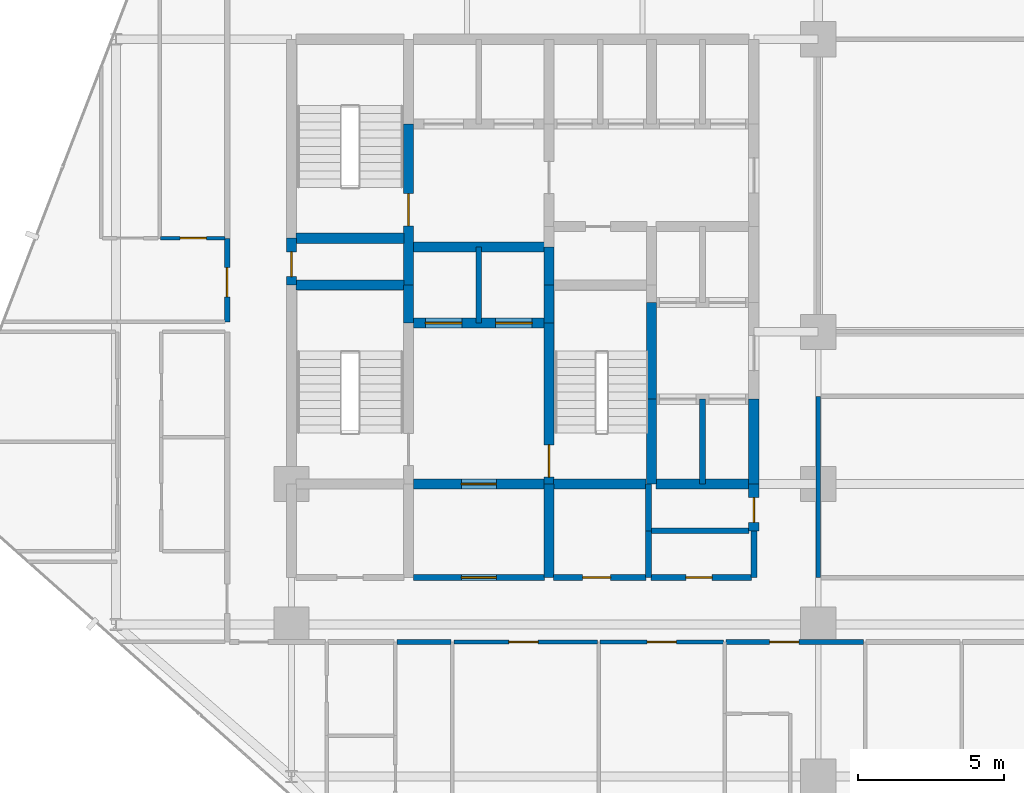
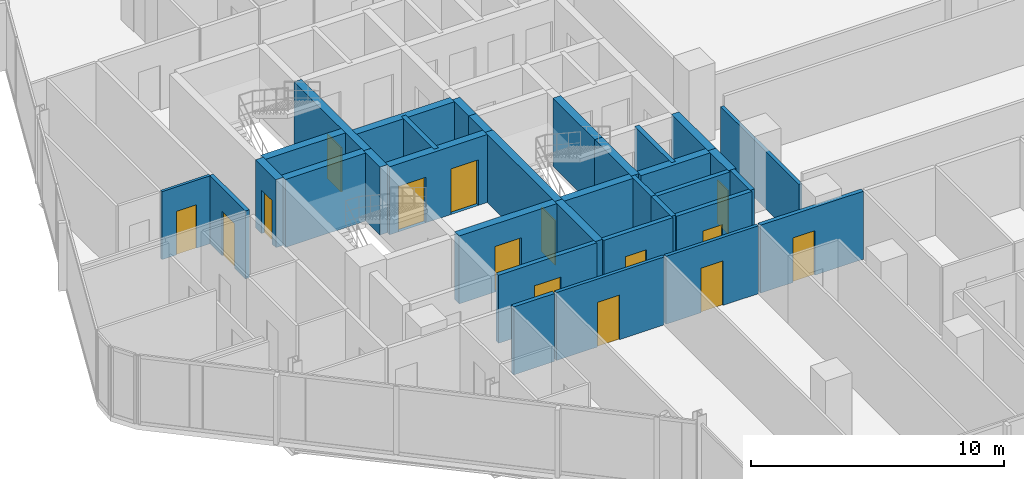
# One storey, part 27 of 34: 34 walls, 15 doors, 15 openings.
"""IFC4 building model written with IfcOpenShell, lengths in metres."""

from ifc_helpers import new_model, si_unit, direction, frame, frame_2d, origin, place, context, subcontext, project, spatial, rectangle, extrude, material, layer, layer_set, type_object, element, fill, save


model = new_model("IFC4")

# Units and contexts
model_context = context("Model", 3, precision=1e-05, world=origin(), true_north=direction((0.0, 1.0)))
body_context = subcontext(model_context, "Body", "Model", "MODEL_VIEW")
ifc_project = project(units=[si_unit("LENGTHUNIT", "METRE"), si_unit("AREAUNIT", "SQUARE_METRE"), si_unit("VOLUMEUNIT", "CUBIC_METRE"), si_unit("PLANEANGLEUNIT", "RADIAN"), si_unit("MASSUNIT", "GRAM", prefix="KILO")], contexts=[model_context])

# Site, building, storey
site_placement = place(None, origin())
site = spatial("IfcSite", under=ifc_project, at=site_placement, CompositionType="ELEMENT")
building_placement = place(site_placement, origin())
building = spatial("IfcBuilding", under=site, at=building_placement, Name="Keshet Zoharim Tower", CompositionType="ELEMENT")
storey_placement = place(building_placement, frame((0.0, 0.0, 77.5)))
storey = spatial("IfcBuildingStorey", under=building, at=storey_placement, Name="L18", CompositionType="ELEMENT", Elevation=77.5)

# Wall
ifc_material_1 = material(Name="Gypsum Plasterboard", Category="gypsum")
ifc_layer_1 = layer(ifc_material_1, 0.14990234375)
ifc_layer_set_1 = layer_set([ifc_layer_1], Name="Gypsum Plasterboard")
wall_type_1 = type_object("IfcWallType", Name="WL-CLIN-150", PredefinedType="STANDARD", material=ifc_layer_set_1)
wall_1_placement = place(storey_placement, frame((33.0, 19.510009765625, 0.0), z_axis=(0.0, 0.0, 1.0), x_axis=(0.0, 1.0, 0.0)))
element("IfcWall", 1, at=wall_1_placement, inside=storey, type_object=wall_type_1, Name="L18 Interior Wall 069", PredefinedType="STANDARD", context=body_context, shape_type="SweptSolid", body=[
    extrude(rectangle(XDim=6.179931640625, YDim=0.14990234375, at=frame_2d((3.08984375, 0.0))), origin(), (0.0, 0.0, 1.0), 2.780029296875),
])

# Wall, opening, door
wall_2_placement = place(storey_placement, frame((20.544921875, 17.300048828125, 0.0), z_axis=(0.0, 0.0, 1.0), x_axis=(1.0, 0.0, 0.0)))
wall_2 = element("IfcWall", 2, at=wall_2_placement, inside=storey, type_object=wall_type_1, Name="L18 Interior Wall 150", PredefinedType="STANDARD", context=body_context, shape_type="SweptSolid", body=[
    extrude(rectangle(XDim=4.91015625, YDim=0.14990234375, at=frame_2d((2.455078125, 0.0))), origin(), (0.0, 0.0, 1.0), 3.280029296875),
])
opening_1_placement = place(wall_2_placement, frame((1.884033203125, 0.0, 0.0)))
opening_1 = element("IfcOpeningElement", 3, at=opening_1_placement, cuts=wall_2, Name="Opening D-F310", PredefinedType="OPENING", context=body_context, shape_type="SweptSolid", body=[
    extrude(rectangle(XDim=1.0, YDim=2.14990234375, at=frame_2d((0.5, 1.074951171875))), frame((0.0, 0.0849609375, 0.0), z_axis=(0.0, -1.0, 0.0), x_axis=(1.0, 0.0, 0.0)), (0.0, 0.0, 1.0), 0.169921875),
])
ifc_material_2 = material(Name="Hardwood Timber", Category="wood")
door_type_1 = type_object("IfcDoorType", Name="DR-FD30-100", OperationType="NOTDEFINED", PredefinedType="DOOR", material=ifc_material_2)
door_1_placement = place(opening_1_placement, origin())
door_1 = element("IfcDoor", 4, at=door_1_placement, inside=storey, type_object=door_type_1, Name="L18 Residents Fitness Studio Door", OperationType="SINGLE_SWING_RIGHT", OverallHeight=2.14990234375, OverallWidth=1.0, PredefinedType="DOOR", context=body_context, shape_type="SweptSolid", body=[
    extrude(rectangle(XDim=1.0, YDim=2.14990234375, at=frame_2d((0.5, 1.074951171875))), frame((0.0, 0.02490234375, 0.0), z_axis=(0.0, -1.0, 0.0), x_axis=(1.0, 0.0, 0.0)), (0.0, 0.0, 1.0), 0.050048828125),
])
fill(opening_1, door_1)

wall_3_placement = place(storey_placement, frame((25.544921875, 17.300048828125, 0.0), z_axis=(0.0, 0.0, 1.0), x_axis=(1.0, 0.0, 0.0)))
wall_3 = element("IfcWall", 5, at=wall_3_placement, inside=storey, type_object=wall_type_1, Name="L18 Interior Wall 151", PredefinedType="STANDARD", context=body_context, shape_type="SweptSolid", body=[
    extrude(rectangle(XDim=4.2099609375, YDim=0.14990234375, at=frame_2d((2.10498046875, 0.0))), origin(), (0.0, 0.0, 1.0), 3.280029296875),
])
opening_2_placement = place(wall_3_placement, frame((1.60498046875, 0.0, 0.0)))
opening_2 = element("IfcOpeningElement", 6, at=opening_2_placement, cuts=wall_3, Name="Opening D-F310", PredefinedType="OPENING", context=body_context, shape_type="SweptSolid", body=[
    extrude(rectangle(XDim=1.0, YDim=2.14990234375, at=frame_2d((0.5, 1.074951171875))), frame((0.0, 0.0849609375, 0.0), z_axis=(0.0, -1.0, 0.0), x_axis=(1.0, 0.0, 0.0)), (0.0, 0.0, 1.0), 0.169921875),
])
door_2_placement = place(opening_2_placement, origin())
door_2 = element("IfcDoor", 7, at=door_2_placement, inside=storey, type_object=door_type_1, Name="L18 Residents Reading Office Door", OperationType="SINGLE_SWING_LEFT", OverallHeight=2.14990234375, OverallWidth=1.0, PredefinedType="DOOR", context=body_context, shape_type="SweptSolid", body=[
    extrude(rectangle(XDim=1.0, YDim=2.14990234375, at=frame_2d((0.5, 1.074951171875))), frame((0.0, 0.02490234375, 0.0), z_axis=(0.0, -1.0, 0.0), x_axis=(1.0, 0.0, 0.0)), (0.0, 0.0, 1.0), 0.050048828125),
])
fill(opening_2, door_2)

ifc_material_3 = material(Name="Concrete C60/75", Category="concrete")
ifc_layer_2 = layer(ifc_material_3, 0.35009765625)
ifc_layer_set_2 = layer_set([ifc_layer_2], Name="Concrete C60/75")
wall_type_2 = type_object("IfcWallType", Name="WL-CORE-350", PredefinedType="SHEAR", material=ifc_layer_set_2)
wall_4_placement = place(storey_placement, frame((15.0, 29.5, 0.0), z_axis=(0.0, 0.0, 1.0), x_axis=(0.0, 1.0, 0.0)))
wall_4 = element("IfcWall", 8, at=wall_4_placement, inside=storey, type_object=wall_type_2, Name="L18 Core Shear Wall 013", PredefinedType="SHEAR", context=body_context, shape_type="SweptSolid", body=[
    extrude(rectangle(XDim=1.60009765625, YDim=0.35009765625, at=frame_2d((0.800048828125, 0.0))), origin(), (0.0, 0.0, 1.0), 3.280029296875),
])
opening_3_placement = place(wall_4_placement, frame((0.287109375, 0.0, 0.0)))
opening_3 = element("IfcOpeningElement", 9, at=opening_3_placement, cuts=wall_4, Name="Opening D-RS85", PredefinedType="OPENING", context=body_context, shape_type="SweptSolid", body=[
    extrude(rectangle(XDim=0.85009765625, YDim=2.10009765625, at=frame_2d((0.425048828125, 1.050048828125))), frame((0.0, 0.18505859375, 0.0), z_axis=(0.0, -1.0, 0.0), x_axis=(1.0, 0.0, 0.0)), (0.0, 0.0, 1.0), 0.3701171875),
])
door_type_2 = type_object("IfcDoorType", Name="DR-RIS-085", OperationType="NOTDEFINED", PredefinedType="DOOR", material=ifc_material_2)
door_3_placement = place(opening_3_placement, origin())
door_3 = element("IfcDoor", 10, at=door_3_placement, inside=storey, type_object=door_type_2, Name="L18 Electrical Riser Access Cupboard Door", OperationType="SINGLE_SWING_RIGHT", OverallHeight=2.10009765625, OverallWidth=0.85009765625, PredefinedType="DOOR", context=body_context, shape_type="SweptSolid", body=[
    extrude(rectangle(XDim=0.85009765625, YDim=2.10009765625, at=frame_2d((0.425048828125, 1.050048828125))), frame((0.0, 0.02490234375, 0.0), z_axis=(0.0, -1.0, 0.0), x_axis=(1.0, 0.0, 0.0)), (0.0, 0.0, 1.0), 0.050048828125),
])
fill(opening_3, door_3)

# Wall
wall_5_placement = place(storey_placement, frame((19.0, 28.199951171875, 0.0), z_axis=(0.0, 0.0, 1.0), x_axis=(0.0, 1.0, 0.0)))
element("IfcWall", 11, at=wall_5_placement, inside=storey, type_object=wall_type_2, Name="L18 Core Shear Wall 023", PredefinedType="SHEAR", context=body_context, shape_type="SweptSolid", body=[
    extrude(rectangle(XDim=1.300048828125, YDim=0.35009765625, at=frame_2d((0.64990234375, 0.0))), origin(), (0.0, 0.0, 1.0), 3.280029296875),
])

# Wall, opening, door
wall_6_placement = place(storey_placement, frame((19.0, 29.5, 0.0), z_axis=(0.0, 0.0, 1.0), x_axis=(0.0, 1.0, 0.0)))
wall_6 = element("IfcWall", 12, at=wall_6_placement, inside=storey, type_object=wall_type_2, Name="L18 Core Shear Wall 024", PredefinedType="SHEAR", context=body_context, shape_type="SweptSolid", body=[
    extrude(rectangle(XDim=5.5, YDim=0.35009765625, at=frame_2d((2.75, 0.0))), origin(), (0.0, 0.0, 1.0), 3.280029296875),
])
opening_4_placement = place(wall_6_placement, frame((2.02490234375, 0.0, 0.0)))
opening_4 = element("IfcOpeningElement", 13, at=opening_4_placement, cuts=wall_6, Name="Opening D-F611", PredefinedType="OPENING", context=body_context, shape_type="SweptSolid", body=[
    extrude(rectangle(XDim=1.10009765625, YDim=2.14990234375, at=frame_2d((0.550048828125, 1.074951171875))), frame((0.0, 0.18505859375, 0.0), z_axis=(0.0, -1.0, 0.0), x_axis=(1.0, 0.0, 0.0)), (0.0, 0.0, 1.0), 0.3701171875),
])
door_type_3 = type_object("IfcDoorType", Name="DR-FD60-110", OperationType="NOTDEFINED", PredefinedType="DOOR", material=ifc_material_2)
door_4_placement = place(opening_4_placement, origin())
door_4 = element("IfcDoor", 14, at=door_4_placement, inside=storey, type_object=door_type_3, Name="L18 Exit Stair ST-02 Fire Door", OperationType="SINGLE_SWING_LEFT", OverallHeight=2.14990234375, OverallWidth=1.10009765625, PredefinedType="DOOR", context=body_context, shape_type="SweptSolid", body=[
    extrude(rectangle(XDim=1.10009765625, YDim=2.14990234375, at=frame_2d((0.550048828125, 1.074951171875))), frame((0.0, 0.02490234375, 0.0), z_axis=(0.0, -1.0, 0.0), x_axis=(1.0, 0.0, 0.0)), (0.0, 0.0, 1.0), 0.050048828125),
])
fill(opening_4, door_4)

# Wall
wall_7_placement = place(storey_placement, frame((23.800048828125, 19.5, 0.0), z_axis=(0.0, 0.0, 1.0), x_axis=(0.0, 1.0, 0.0)))
element("IfcWall", 15, at=wall_7_placement, inside=storey, type_object=wall_type_2, Name="L18 Core Shear Wall 033", PredefinedType="SHEAR", context=body_context, shape_type="SweptSolid", body=[
    extrude(rectangle(XDim=3.199951171875, YDim=0.35009765625, at=frame_2d((1.60009765625, 0.0))), origin(), (0.0, 0.0, 1.0), 3.280029296875),
])

# Wall, opening, door
wall_8_placement = place(storey_placement, frame((23.800048828125, 22.699951171875, 0.0), z_axis=(0.0, 0.0, 1.0), x_axis=(0.0, 1.0, 0.0)))
wall_8 = element("IfcWall", 16, at=wall_8_placement, inside=storey, type_object=wall_type_2, Name="L18 Core Shear Wall 034", PredefinedType="SHEAR", context=body_context, shape_type="SweptSolid", body=[
    extrude(rectangle(XDim=5.5, YDim=0.35009765625, at=frame_2d((2.75, 0.0))), origin(), (0.0, 0.0, 1.0), 3.280029296875),
])
opening_5_placement = place(wall_8_placement, frame((0.235107421875, 0.0, 0.0)))
opening_5 = element("IfcOpeningElement", 17, at=opening_5_placement, cuts=wall_8, Name="Opening D-F611", PredefinedType="OPENING", context=body_context, shape_type="SweptSolid", body=[
    extrude(rectangle(XDim=1.10009765625, YDim=2.14990234375, at=frame_2d((0.550048828125, 1.074951171875))), frame((0.0, 0.18505859375, 0.0), z_axis=(0.0, -1.0, 0.0), x_axis=(1.0, 0.0, 0.0)), (0.0, 0.0, 1.0), 0.3701171875),
])
door_5_placement = place(opening_5_placement, frame((1.10009765625, 0.0, 0.0), z_axis=(0.0, 0.0, 1.0), x_axis=(-1.0, 0.0, 0.0)))
door_5 = element("IfcDoor", 18, at=door_5_placement, inside=storey, type_object=door_type_3, Name="L18 Exit Stair ST-03 Fire Door", OperationType="SINGLE_SWING_LEFT", OverallHeight=2.14990234375, OverallWidth=1.10009765625, PredefinedType="DOOR", context=body_context, shape_type="SweptSolid", body=[
    extrude(rectangle(XDim=1.10009765625, YDim=2.14990234375, at=frame_2d((0.550048828125, 1.074951171875))), frame((0.0, 0.02490234375, 0.0), z_axis=(0.0, -1.0, 0.0), x_axis=(1.0, 0.0, 0.0)), (0.0, 0.0, 1.0), 0.050048828125),
])
fill(opening_5, door_5)

# Walls
for number, where, z_axis, x_axis, name in (
    (19, (23.800048828125, 28.199951171875, 0.0), (0.0, 0.0, 1.0), (0.0, 1.0, 0.0), "L18 Core Shear Wall 035"),
    (20, (23.800048828125, 29.5, 0.0), (0.0, 0.0, 1.0), (0.0, 1.0, 0.0), "L18 Core Shear Wall 036"),
):
    element("IfcWall", number, at=place(storey_placement, frame(where, z_axis=z_axis, x_axis=x_axis)), inside=storey, type_object=wall_type_2, Name=name, PredefinedType="SHEAR", context=body_context, shape_type="SweptSolid", body=[
        extrude(rectangle(XDim=1.300048828125, YDim=0.35009765625, at=frame_2d((0.64990234375, 0.0))), origin(), (0.0, 0.0, 1.0), 3.280029296875),
    ])
wall_9_placement = place(storey_placement, frame((27.300048828125, 22.699951171875, 0.0), z_axis=(0.0, 0.0, 1.0), x_axis=(0.0, 1.0, 0.0)))
element("IfcWall", 21, at=wall_9_placement, inside=storey, type_object=wall_type_2, Name="L18 Core Shear Wall 046", PredefinedType="SHEAR", context=body_context, shape_type="SweptSolid", body=[
    extrude(rectangle(XDim=2.900146484375, YDim=0.35009765625, at=frame_2d((1.4501953125, 0.0))), origin(), (0.0, 0.0, 1.0), 3.280029296875),
])
wall_10_placement = place(storey_placement, frame((27.300048828125, 25.60009765625, 0.0), z_axis=(0.0, 0.0, 1.0), x_axis=(0.0, 1.0, 0.0)))
element("IfcWall", 22, at=wall_10_placement, inside=storey, type_object=wall_type_2, Name="L18 Core Shear Wall 047", PredefinedType="SHEAR", context=body_context, shape_type="SweptSolid", body=[
    extrude(rectangle(XDim=3.2998046875, YDim=0.35009765625, at=frame_2d((1.64990234375, 0.0))), origin(), (0.0, 0.0, 1.0), 3.280029296875),
])

# Wall, opening, door
wall_11_placement = place(storey_placement, frame((30.800048828125, 21.10009765625, 0.0), z_axis=(0.0, 0.0, 1.0), x_axis=(0.0, 1.0, 0.0)))
wall_11 = element("IfcWall", 23, at=wall_11_placement, inside=storey, type_object=wall_type_2, Name="L18 Core Shear Wall 060", PredefinedType="SHEAR", context=body_context, shape_type="SweptSolid", body=[
    extrude(rectangle(XDim=1.599853515625, YDim=0.35009765625, at=frame_2d((0.7998046875, 0.0))), origin(), (0.0, 0.0, 1.0), 3.280029296875),
])
opening_6_placement = place(wall_11_placement, frame((0.287109375, 0.0, 0.0)))
opening_6 = element("IfcOpeningElement", 24, at=opening_6_placement, cuts=wall_11, Name="Opening D-RS85", PredefinedType="OPENING", context=body_context, shape_type="SweptSolid", body=[
    extrude(rectangle(XDim=0.85009765625, YDim=2.10009765625, at=frame_2d((0.425048828125, 1.050048828125))), frame((0.0, 0.18505859375, 0.0), z_axis=(0.0, -1.0, 0.0), x_axis=(1.0, 0.0, 0.0)), (0.0, 0.0, 1.0), 0.3701171875),
])
door_6_placement = place(opening_6_placement, origin())
door_6 = element("IfcDoor", 25, at=door_6_placement, inside=storey, type_object=door_type_2, Name="L18 Linen Store Door", OperationType="SINGLE_SWING_LEFT", OverallHeight=2.10009765625, OverallWidth=0.85009765625, PredefinedType="DOOR", context=body_context, shape_type="SweptSolid", body=[
    extrude(rectangle(XDim=0.85009765625, YDim=2.10009765625, at=frame_2d((0.425048828125, 1.050048828125))), frame((0.0, 0.02490234375, 0.0), z_axis=(0.0, -1.0, 0.0), x_axis=(1.0, 0.0, 0.0)), (0.0, 0.0, 1.0), 0.050048828125),
])
fill(opening_6, door_6)

# Wall
wall_12_placement = place(storey_placement, frame((30.800048828125, 22.699951171875, 0.0), z_axis=(0.0, 0.0, 1.0), x_axis=(0.0, 1.0, 0.0)))
element("IfcWall", 26, at=wall_12_placement, inside=storey, type_object=wall_type_2, Name="L18 Core Shear Wall 061", PredefinedType="SHEAR", context=body_context, shape_type="SweptSolid", body=[
    extrude(rectangle(XDim=2.900146484375, YDim=0.35009765625, at=frame_2d((1.4501953125, 0.0))), origin(), (0.0, 0.0, 1.0), 3.280029296875),
])

# Wall, opening, door
wall_13_placement = place(storey_placement, frame((19.159912109375, 22.699951171875, 0.0), z_axis=(0.0, 0.0, 1.0), x_axis=(1.0, 0.0, 0.0)))
wall_13 = element("IfcWall", 27, at=wall_13_placement, inside=storey, type_object=wall_type_2, Name="L18 Core Shear Wall 173", PredefinedType="SHEAR", context=body_context, shape_type="SweptSolid", body=[
    extrude(rectangle(XDim=4.47998046875, YDim=0.35009765625, at=frame_2d((2.239990234375, 0.0))), origin(), (0.0, 0.0, 1.0), 3.280029296875),
])
opening_7_placement = place(wall_13_placement, frame((1.639892578125, 0.0, 0.0)))
opening_7 = element("IfcOpeningElement", 28, at=opening_7_placement, cuts=wall_13, Name="Opening D-F612", PredefinedType="OPENING", context=body_context, shape_type="SweptSolid", body=[
    extrude(rectangle(XDim=1.199951171875, YDim=2.199951171875, at=frame_2d((0.60009765625, 1.10009765625))), frame((0.0, 0.18505859375, 0.0), z_axis=(0.0, -1.0, 0.0), x_axis=(1.0, 0.0, 0.0)), (0.0, 0.0, 1.0), 0.3701171875),
])
door_type_4 = type_object("IfcDoorType", Name="DR-FD60-120", OperationType="NOTDEFINED", PredefinedType="DOOR", material=ifc_material_2)
door_7_placement = place(opening_7_placement, origin())
door_7 = element("IfcDoor", 29, at=door_7_placement, inside=storey, type_object=door_type_4, Name="L18 South Core Lobby Fire Door", OperationType="SINGLE_SWING_RIGHT", OverallHeight=2.199951171875, OverallWidth=1.199951171875, PredefinedType="DOOR", context=body_context, shape_type="SweptSolid", body=[
    extrude(rectangle(XDim=1.199951171875, YDim=2.199951171875, at=frame_2d((0.60009765625, 1.10009765625))), frame((0.0, 0.02490234375, 0.0), z_axis=(0.0, -1.0, 0.0), x_axis=(1.0, 0.0, 0.0)), (0.0, 0.0, 1.0), 0.050048828125),
])
fill(opening_7, door_7)

# Walls
wall_14_placement = place(storey_placement, frame((23.9599609375, 22.699951171875, 0.0), z_axis=(0.0, 0.0, 1.0), x_axis=(1.0, 0.0, 0.0)))
element("IfcWall", 30, at=wall_14_placement, inside=storey, type_object=wall_type_2, Name="L18 Core Shear Wall 174", PredefinedType="SHEAR", context=body_context, shape_type="SweptSolid", body=[
    extrude(rectangle(XDim=3.155029296875, YDim=0.35009765625, at=frame_2d((1.57763671875, 0.0))), origin(), (0.0, 0.0, 1.0), 3.280029296875),
])
wall_15_placement = place(storey_placement, frame((27.4599609375, 22.699951171875, 0.0), z_axis=(0.0, 0.0, 1.0), x_axis=(1.0, 0.0, 0.0)))
element("IfcWall", 31, at=wall_15_placement, inside=storey, type_object=wall_type_2, Name="L18 Core Shear Wall 175", PredefinedType="SHEAR", context=body_context, shape_type="SweptSolid", body=[
    extrude(rectangle(XDim=3.179931640625, YDim=0.35009765625, at=frame_2d((1.58984375, 0.0))), origin(), (0.0, 0.0, 1.0), 3.280029296875),
])

# Wall, openings, doors
wall_16_placement = place(storey_placement, frame((19.159912109375, 28.199951171875, 0.0), z_axis=(0.0, 0.0, 1.0), x_axis=(1.0, 0.0, 0.0)))
wall_16 = element("IfcWall", 32, at=wall_16_placement, inside=storey, type_object=wall_type_2, Name="L18 Core Shear Wall 183", PredefinedType="SHEAR", context=body_context, shape_type="SweptSolid", body=[
    extrude(rectangle(XDim=4.47998046875, YDim=0.35009765625, at=frame_2d((2.239990234375, 0.0))), origin(), (0.0, 0.0, 1.0), 3.280029296875),
])
opening_8_placement = place(wall_16_placement, frame((0.4150390625, 0.0, 0.0)))
opening_8 = element("IfcOpeningElement", 33, at=opening_8_placement, cuts=wall_16, Name="Opening LD-01", PredefinedType="OPENING", context=body_context, shape_type="SweptSolid", body=[
    extrude(rectangle(XDim=1.25, YDim=2.199951171875, at=frame_2d((0.625, 1.10009765625))), frame((0.0, 0.18505859375, 0.0), z_axis=(0.0, -1.0, 0.0), x_axis=(1.0, 0.0, 0.0)), (0.0, 0.0, 1.0), 0.3701171875),
])
opening_9_placement = place(wall_16_placement, frame((2.81494140625, 0.0, 0.0)))
opening_9 = element("IfcOpeningElement", 34, at=opening_9_placement, cuts=wall_16, Name="Opening LD-01", PredefinedType="OPENING", context=body_context, shape_type="SweptSolid", body=[
    extrude(rectangle(XDim=1.25, YDim=2.199951171875, at=frame_2d((0.625, 1.10009765625))), frame((0.0, 0.18505859375, 0.0), z_axis=(0.0, -1.0, 0.0), x_axis=(1.0, 0.0, 0.0)), (0.0, 0.0, 1.0), 0.3701171875),
])
ifc_material_4 = material(Name="Steel S355", Category="steel")
door_type_5 = type_object("IfcDoorType", Name="DR-LD01-125", OperationType="DOUBLE_DOOR_SLIDING", PredefinedType="DOOR", material=ifc_material_4)
door_8_placement = place(opening_8_placement, origin())
door_8 = element("IfcDoor", 35, at=door_8_placement, inside=storey, type_object=door_type_5, Name="L18 Passenger Lift Landing Door LF-09", OperationType="DOUBLE_DOOR_SLIDING", OverallHeight=2.199951171875, OverallWidth=1.25, PredefinedType="DOOR", context=body_context, shape_type="SweptSolid", body=[
    extrude(rectangle(XDim=1.25, YDim=2.199951171875, at=frame_2d((0.625, 1.10009765625))), frame((0.0, 0.02490234375, 0.0), z_axis=(0.0, -1.0, 0.0), x_axis=(1.0, 0.0, 0.0)), (0.0, 0.0, 1.0), 0.050048828125),
])
fill(opening_8, door_8)
door_9_placement = place(opening_9_placement, origin())
door_9 = element("IfcDoor", 36, at=door_9_placement, inside=storey, type_object=door_type_5, Name="L18 Passenger Lift Landing Door LF-10", OperationType="DOUBLE_DOOR_SLIDING", OverallHeight=2.199951171875, OverallWidth=1.25, PredefinedType="DOOR", context=body_context, shape_type="SweptSolid", body=[
    extrude(rectangle(XDim=1.25, YDim=2.199951171875, at=frame_2d((0.625, 1.10009765625))), frame((0.0, 0.02490234375, 0.0), z_axis=(0.0, -1.0, 0.0), x_axis=(1.0, 0.0, 0.0)), (0.0, 0.0, 1.0), 0.050048828125),
])
fill(opening_9, door_9)

# Walls
wall_17_placement = place(storey_placement, frame((15.159912109375, 29.5, 0.0), z_axis=(0.0, 0.0, 1.0), x_axis=(1.0, 0.0, 0.0)))
element("IfcWall", 37, at=wall_17_placement, inside=storey, type_object=wall_type_2, Name="L18 Core Shear Wall 187", PredefinedType="SHEAR", context=body_context, shape_type="SweptSolid", body=[
    extrude(rectangle(XDim=3.68017578125, YDim=0.35009765625, at=frame_2d((1.840087890625, 0.0))), origin(), (0.0, 0.0, 1.0), 3.280029296875),
])
wall_18_placement = place(storey_placement, frame((19.159912109375, 30.800048828125, 0.0), z_axis=(0.0, 0.0, 1.0), x_axis=(1.0, 0.0, 0.0)))
element("IfcWall", 38, at=wall_18_placement, inside=storey, type_object=wall_type_2, Name="L18 Core Shear Wall 189", PredefinedType="SHEAR", context=body_context, shape_type="SweptSolid", body=[
    extrude(rectangle(XDim=4.47998046875, YDim=0.35009765625, at=frame_2d((2.239990234375, 0.0))), origin(), (0.0, 0.0, 1.0), 3.280029296875),
])
wall_19_placement = place(storey_placement, frame((15.159912109375, 31.10009765625, 0.0), z_axis=(0.0, 0.0, 1.0), x_axis=(1.0, 0.0, 0.0)))
element("IfcWall", 39, at=wall_19_placement, inside=storey, type_object=wall_type_2, Name="L18 Core Shear Wall 192", PredefinedType="SHEAR", context=body_context, shape_type="SweptSolid", body=[
    extrude(rectangle(XDim=3.68017578125, YDim=0.35009765625, at=frame_2d((1.840087890625, 0.0))), origin(), (0.0, 0.0, 1.0), 3.280029296875),
])

# Wall, opening, door
ifc_layer_3 = layer(ifc_material_1, 0.179931640625)
ifc_layer_set_3 = layer_set([ifc_layer_3], Name="Gypsum Plasterboard")
wall_type_3 = type_object("IfcWallType", Name="WL-CORR-180", PredefinedType="STANDARD", material=ifc_layer_set_3)
wall_20_placement = place(storey_placement, frame((12.800048828125, 28.239990234375, 0.0), z_axis=(0.0, 0.0, 1.0), x_axis=(0.0, 1.0, 0.0)))
wall_20 = element("IfcWall", 40, at=wall_20_placement, inside=storey, type_object=wall_type_3, Name="L18 Interior Wall 009", PredefinedType="STANDARD", context=body_context, shape_type="SweptSolid", body=[
    extrude(rectangle(XDim=2.85009765625, YDim=0.179931640625, at=frame_2d((1.425048828125, 0.0))), origin(), (0.0, 0.0, 1.0), 3.280029296875),
])
opening_10_placement = place(wall_20_placement, frame((0.85107421875, 0.0, 0.0)))
opening_10 = element("IfcOpeningElement", 41, at=opening_10_placement, cuts=wall_20, Name="Opening D-F310", PredefinedType="OPENING", context=body_context, shape_type="SweptSolid", body=[
    extrude(rectangle(XDim=1.0, YDim=2.14990234375, at=frame_2d((0.5, 1.074951171875))), frame((0.0, 0.10009765625, 0.0), z_axis=(0.0, -1.0, 0.0), x_axis=(1.0, 0.0, 0.0)), (0.0, 0.0, 1.0), 0.199951171875),
])
door_10_placement = place(opening_10_placement, origin())
door_10 = element("IfcDoor", 42, at=door_10_placement, inside=storey, type_object=door_type_1, Name="Apartment 1810 Entrance Door", OperationType="SINGLE_SWING_LEFT", OverallHeight=2.14990234375, OverallWidth=1.0, PredefinedType="DOOR", context=body_context, shape_type="SweptSolid", body=[
    extrude(rectangle(XDim=1.0, YDim=2.14990234375, at=frame_2d((0.5, 1.074951171875))), frame((0.0, 0.02490234375, 0.0), z_axis=(0.0, -1.0, 0.0), x_axis=(1.0, 0.0, 0.0)), (0.0, 0.0, 1.0), 0.050048828125),
])
fill(opening_10, door_10)

# Wall
wall_21_placement = place(storey_placement, frame((18.594970703125, 17.300048828125, 0.0), z_axis=(0.0, 0.0, 1.0), x_axis=(1.0, 0.0, 0.0)))
element("IfcWall", 43, at=wall_21_placement, inside=storey, type_object=wall_type_3, Name="L18 Interior Wall 149", PredefinedType="STANDARD", context=body_context, shape_type="SweptSolid", body=[
    extrude(rectangle(XDim=1.860107421875, YDim=0.179931640625, at=frame_2d((0.93017578125, 0.0))), origin(), (0.0, 0.0, 1.0), 3.280029296875),
])

# Wall, opening, door
wall_22_placement = place(storey_placement, frame((29.844970703125, 17.300048828125, 0.0), z_axis=(0.0, 0.0, 1.0), x_axis=(1.0, 0.0, 0.0)))
wall_22 = element("IfcWall", 44, at=wall_22_placement, inside=storey, type_object=wall_type_3, Name="L18 Interior Wall 152", PredefinedType="STANDARD", context=body_context, shape_type="SweptSolid", body=[
    extrude(rectangle(XDim=4.699951171875, YDim=0.179931640625, at=frame_2d((2.35009765625, 0.0))), origin(), (0.0, 0.0, 1.0), 3.280029296875),
])
opening_11_placement = place(wall_22_placement, frame((1.492919921875, 0.0, 0.0)))
opening_11 = element("IfcOpeningElement", 45, at=opening_11_placement, cuts=wall_22, Name="Opening D-F310", PredefinedType="OPENING", context=body_context, shape_type="SweptSolid", body=[
    extrude(rectangle(XDim=1.0, YDim=2.14990234375, at=frame_2d((0.5, 1.074951171875))), frame((0.0, 0.10009765625, 0.0), z_axis=(0.0, -1.0, 0.0), x_axis=(1.0, 0.0, 0.0)), (0.0, 0.0, 1.0), 0.199951171875),
])
door_11_placement = place(opening_11_placement, origin())
door_11 = element("IfcDoor", 46, at=door_11_placement, inside=storey, type_object=door_type_1, Name="Apartment 1802 Entrance Door", OperationType="SINGLE_SWING_RIGHT", OverallHeight=2.14990234375, OverallWidth=1.0, PredefinedType="DOOR", context=body_context, shape_type="SweptSolid", body=[
    extrude(rectangle(XDim=1.0, YDim=2.14990234375, at=frame_2d((0.5, 1.074951171875))), frame((0.0, 0.02490234375, 0.0), z_axis=(0.0, -1.0, 0.0), x_axis=(1.0, 0.0, 0.0)), (0.0, 0.0, 1.0), 0.050048828125),
])
fill(opening_11, door_11)

# Walls
ifc_material_5 = material(Name="Concrete C50/60", Category="concrete")
ifc_layer_4 = layer(ifc_material_5, 0.199951171875)
ifc_layer_set_4 = layer_set([ifc_layer_4], Name="Concrete C50/60")
wall_type_4 = type_object("IfcWallType", Name="WL-FIRE-200", PredefinedType="STANDARD", material=ifc_layer_set_4)
wall_23_placement = place(storey_placement, frame((21.39990234375, 28.199951171875, 0.0), z_axis=(0.0, 0.0, 1.0), x_axis=(0.0, 1.0, 0.0)))
element("IfcWall", 47, at=wall_23_placement, inside=storey, type_object=wall_type_4, Name="L18 Interior Wall 029", PredefinedType="STANDARD", context=body_context, shape_type="SweptSolid", body=[
    extrude(rectangle(XDim=2.60009765625, YDim=0.199951171875, at=frame_2d((1.300048828125, 0.0))), origin(), (0.0, 0.0, 1.0), 3.280029296875),
])
wall_24_placement = place(storey_placement, frame((27.199951171875, 19.5, 0.0), z_axis=(0.0, 0.0, 1.0), x_axis=(0.0, 1.0, 0.0)))
element("IfcWall", 48, at=wall_24_placement, inside=storey, type_object=wall_type_4, Name="L18 Interior Wall 044", PredefinedType="STANDARD", context=body_context, shape_type="SweptSolid", body=[
    extrude(rectangle(XDim=1.60009765625, YDim=0.199951171875, at=frame_2d((0.800048828125, 0.0))), origin(), (0.0, 0.0, 1.0), 3.280029296875),
])
wall_25_placement = place(storey_placement, frame((27.199951171875, 21.10009765625, 0.0), z_axis=(0.0, 0.0, 1.0), x_axis=(0.0, 1.0, 0.0)))
element("IfcWall", 49, at=wall_25_placement, inside=storey, type_object=wall_type_4, Name="L18 Interior Wall 045", PredefinedType="STANDARD", context=body_context, shape_type="SweptSolid", body=[
    extrude(rectangle(XDim=1.599853515625, YDim=0.199951171875, at=frame_2d((0.7998046875, 0.0))), origin(), (0.0, 0.0, 1.0), 3.280029296875),
])
wall_26_placement = place(storey_placement, frame((29.050048828125, 22.699951171875, 0.0), z_axis=(0.0, 0.0, 1.0), x_axis=(0.0, 1.0, 0.0)))
element("IfcWall", 50, at=wall_26_placement, inside=storey, type_object=wall_type_4, Name="L18 Interior Wall 053", PredefinedType="STANDARD", context=body_context, shape_type="SweptSolid", body=[
    extrude(rectangle(XDim=2.900146484375, YDim=0.199951171875, at=frame_2d((1.4501953125, 0.0))), origin(), (0.0, 0.0, 1.0), 3.280029296875),
])
wall_27_placement = place(storey_placement, frame((30.800048828125, 19.5, 0.0), z_axis=(0.0, 0.0, 1.0), x_axis=(0.0, 1.0, 0.0)))
element("IfcWall", 51, at=wall_27_placement, inside=storey, type_object=wall_type_4, Name="L18 Interior Wall 059", PredefinedType="STANDARD", context=body_context, shape_type="SweptSolid", body=[
    extrude(rectangle(XDim=1.60009765625, YDim=0.199951171875, at=frame_2d((0.800048828125, 0.0))), origin(), (0.0, 0.0, 1.0), 3.280029296875),
])

# Wall, opening, door
wall_28_placement = place(storey_placement, frame((19.159912109375, 19.5, 0.0), z_axis=(0.0, 0.0, 1.0), x_axis=(1.0, 0.0, 0.0)))
wall_28 = element("IfcWall", 52, at=wall_28_placement, inside=storey, type_object=wall_type_4, Name="L18 Interior Wall 164", PredefinedType="STANDARD", context=body_context, shape_type="SweptSolid", body=[
    extrude(rectangle(XDim=4.47998046875, YDim=0.199951171875, at=frame_2d((2.239990234375, 0.0))), origin(), (0.0, 0.0, 1.0), 3.280029296875),
])
opening_12_placement = place(wall_28_placement, frame((1.639892578125, 0.0, 0.0)))
opening_12 = element("IfcOpeningElement", 53, at=opening_12_placement, cuts=wall_28, Name="Opening D-F612", PredefinedType="OPENING", context=body_context, shape_type="SweptSolid", body=[
    extrude(rectangle(XDim=1.199951171875, YDim=2.199951171875, at=frame_2d((0.60009765625, 1.10009765625))), frame((0.0, 0.10986328125, 0.0), z_axis=(0.0, -1.0, 0.0), x_axis=(1.0, 0.0, 0.0)), (0.0, 0.0, 1.0), 0.219970703125),
])
door_12_placement = place(opening_12_placement, origin())
door_12 = element("IfcDoor", 54, at=door_12_placement, inside=storey, type_object=door_type_4, Name="L18 South Vestibule Corridor Door", OperationType="SINGLE_SWING_RIGHT", OverallHeight=2.199951171875, OverallWidth=1.199951171875, PredefinedType="DOOR", context=body_context, shape_type="SweptSolid", body=[
    extrude(rectangle(XDim=1.199951171875, YDim=2.199951171875, at=frame_2d((0.60009765625, 1.10009765625))), frame((0.0, 0.02490234375, 0.0), z_axis=(0.0, -1.0, 0.0), x_axis=(1.0, 0.0, 0.0)), (0.0, 0.0, 1.0), 0.050048828125),
])
fill(opening_12, door_12)

wall_29_placement = place(storey_placement, frame((23.9599609375, 19.5, 0.0), z_axis=(0.0, 0.0, 1.0), x_axis=(1.0, 0.0, 0.0)))
wall_29 = element("IfcWall", 55, at=wall_29_placement, inside=storey, type_object=wall_type_4, Name="L18 Interior Wall 165", PredefinedType="STANDARD", context=body_context, shape_type="SweptSolid", body=[
    extrude(rectangle(XDim=3.155029296875, YDim=0.199951171875, at=frame_2d((1.57763671875, 0.0))), origin(), (0.0, 0.0, 1.0), 3.280029296875),
])
opening_13_placement = place(wall_29_placement, frame((0.990966796875, 0.0, 0.0)))
opening_13 = element("IfcOpeningElement", 56, at=opening_13_placement, cuts=wall_29, Name="Opening D-F695", PredefinedType="OPENING", context=body_context, shape_type="SweptSolid", body=[
    extrude(rectangle(XDim=0.949951171875, YDim=2.14990234375, at=frame_2d((0.47509765625, 1.074951171875))), frame((0.0, 0.10986328125, 0.0), z_axis=(0.0, -1.0, 0.0), x_axis=(1.0, 0.0, 0.0)), (0.0, 0.0, 1.0), 0.219970703125),
])
door_type_6 = type_object("IfcDoorType", Name="DR-FD60-095", OperationType="NOTDEFINED", PredefinedType="DOOR", material=ifc_material_2)
door_13_placement = place(opening_13_placement, origin())
door_13 = element("IfcDoor", 57, at=door_13_placement, inside=storey, type_object=door_type_6, Name="L18 Utility Room Door", OperationType="SINGLE_SWING_LEFT", OverallHeight=2.14990234375, OverallWidth=0.949951171875, PredefinedType="DOOR", context=body_context, shape_type="SweptSolid", body=[
    extrude(rectangle(XDim=0.949951171875, YDim=2.14990234375, at=frame_2d((0.47509765625, 1.074951171875))), frame((0.0, 0.02490234375, 0.0), z_axis=(0.0, -1.0, 0.0), x_axis=(1.0, 0.0, 0.0)), (0.0, 0.0, 1.0), 0.050048828125),
])
fill(opening_13, door_13)

wall_30_placement = place(storey_placement, frame((27.284912109375, 19.5, 0.0), z_axis=(0.0, 0.0, 1.0), x_axis=(1.0, 0.0, 0.0)))
wall_30 = element("IfcWall", 58, at=wall_30_placement, inside=storey, type_object=wall_type_4, Name="L18 Interior Wall 166", PredefinedType="STANDARD", context=body_context, shape_type="SweptSolid", body=[
    extrude(rectangle(XDim=3.43017578125, YDim=0.199951171875, at=frame_2d((1.715087890625, 0.0))), origin(), (0.0, 0.0, 1.0), 3.280029296875),
])
opening_14_placement = place(wall_30_placement, frame((1.19189453125, 0.0, 0.0)))
opening_14 = element("IfcOpeningElement", 59, at=opening_14_placement, cuts=wall_30, Name="Opening D-F690", PredefinedType="OPENING", context=body_context, shape_type="SweptSolid", body=[
    extrude(rectangle(XDim=0.89990234375, YDim=2.14990234375, at=frame_2d((0.449951171875, 1.074951171875))), frame((0.0, 0.10986328125, 0.0), z_axis=(0.0, -1.0, 0.0), x_axis=(1.0, 0.0, 0.0)), (0.0, 0.0, 1.0), 0.219970703125),
])
door_type_7 = type_object("IfcDoorType", Name="DR-FD60-090", OperationType="NOTDEFINED", PredefinedType="DOOR", material=ifc_material_2)
door_14_placement = place(opening_14_placement, origin())
door_14 = element("IfcDoor", 60, at=door_14_placement, inside=storey, type_object=door_type_7, Name="L18 Valve Room Door", OperationType="SINGLE_SWING_RIGHT", OverallHeight=2.14990234375, OverallWidth=0.89990234375, PredefinedType="DOOR", context=body_context, shape_type="SweptSolid", body=[
    extrude(rectangle(XDim=0.89990234375, YDim=2.14990234375, at=frame_2d((0.449951171875, 1.074951171875))), frame((0.0, 0.02490234375, 0.0), z_axis=(0.0, -1.0, 0.0), x_axis=(1.0, 0.0, 0.0)), (0.0, 0.0, 1.0), 0.050048828125),
])
fill(opening_14, door_14)

# Wall
wall_31_placement = place(storey_placement, frame((27.284912109375, 21.10009765625, 0.0), z_axis=(0.0, 0.0, 1.0), x_axis=(1.0, 0.0, 0.0)))
element("IfcWall", 61, at=wall_31_placement, inside=storey, type_object=wall_type_4, Name="L18 Interior Wall 171", PredefinedType="STANDARD", context=body_context, shape_type="SweptSolid", body=[
    extrude(rectangle(XDim=3.35498046875, YDim=0.199951171875, at=frame_2d((1.677490234375, 0.0))), origin(), (0.0, 0.0, 1.0), 3.280029296875),
])

# Wall, opening, door
ifc_layer_5 = layer(ifc_material_1, 0.1201171875)
ifc_layer_set_5 = layer_set([ifc_layer_5], Name="Gypsum Plasterboard")
wall_type_5 = type_object("IfcWallType", Name="WL-WET-120", PredefinedType="PARTITIONING", material=ifc_layer_set_5)
wall_32_placement = place(storey_placement, frame((10.52294921875, 31.10009765625, 0.0), z_axis=(0.0, 0.0, 1.0), x_axis=(1.0, 0.0, 0.0)))
wall_32 = element("IfcWall", 62, at=wall_32_placement, inside=storey, type_object=wall_type_5, Name="L18 Interior Wall 191", PredefinedType="PARTITIONING", context=body_context, shape_type="SweptSolid", body=[
    extrude(rectangle(XDim=2.2021484375, YDim=0.1201171875, at=frame_2d((1.10107421875, 0.0))), origin(), (0.0, 0.0, 1.0), 3.280029296875),
])
opening_15_placement = place(wall_32_placement, frame((0.666015625, 0.0, 0.0)))
opening_15 = element("IfcOpeningElement", 63, at=opening_15_placement, cuts=wall_32, Name="Opening D-WT90", PredefinedType="OPENING", context=body_context, shape_type="SweptSolid", body=[
    extrude(rectangle(XDim=0.89990234375, YDim=2.10009765625, at=frame_2d((0.449951171875, 1.050048828125))), frame((0.0, 0.070068359375, 0.0), z_axis=(0.0, -1.0, 0.0), x_axis=(1.0, 0.0, 0.0)), (0.0, 0.0, 1.0), 0.14013671875),
])
door_type_8 = type_object("IfcDoorType", Name="DR-WET-090", OperationType="NOTDEFINED", PredefinedType="DOOR", material=ifc_material_2)
door_15_placement = place(opening_15_placement, origin())
door_15 = element("IfcDoor", 64, at=door_15_placement, inside=storey, type_object=door_type_8, Name="Apartment 1810 Bathroom Door", OperationType="SINGLE_SWING_LEFT", OverallHeight=2.10009765625, OverallWidth=0.89990234375, PredefinedType="DOOR", context=body_context, shape_type="SweptSolid", body=[
    extrude(rectangle(XDim=0.89990234375, YDim=2.10009765625, at=frame_2d((0.449951171875, 1.050048828125))), frame((0.0, 0.02490234375, 0.0), z_axis=(0.0, -1.0, 0.0), x_axis=(1.0, 0.0, 0.0)), (0.0, 0.0, 1.0), 0.050048828125),
])
fill(opening_15, door_15)

save(model, "model.ifc")
